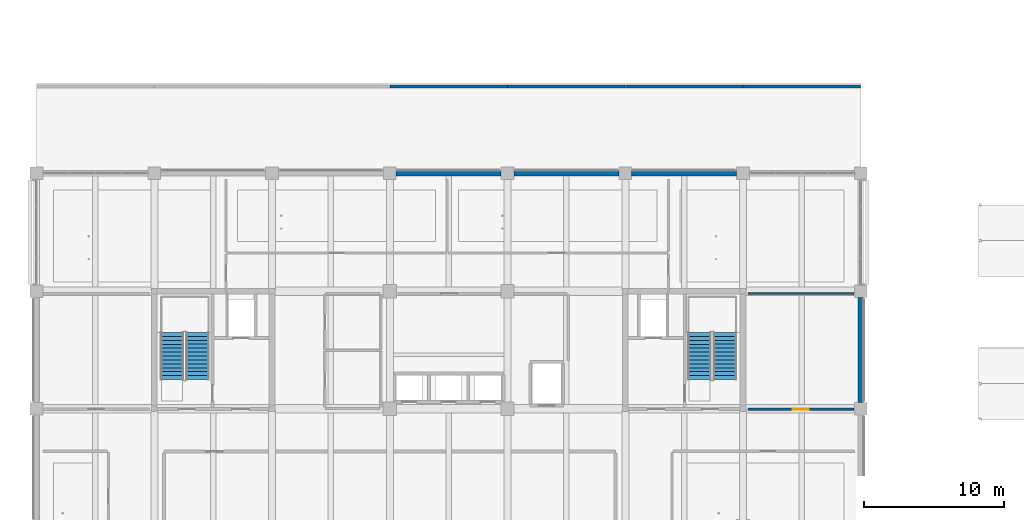
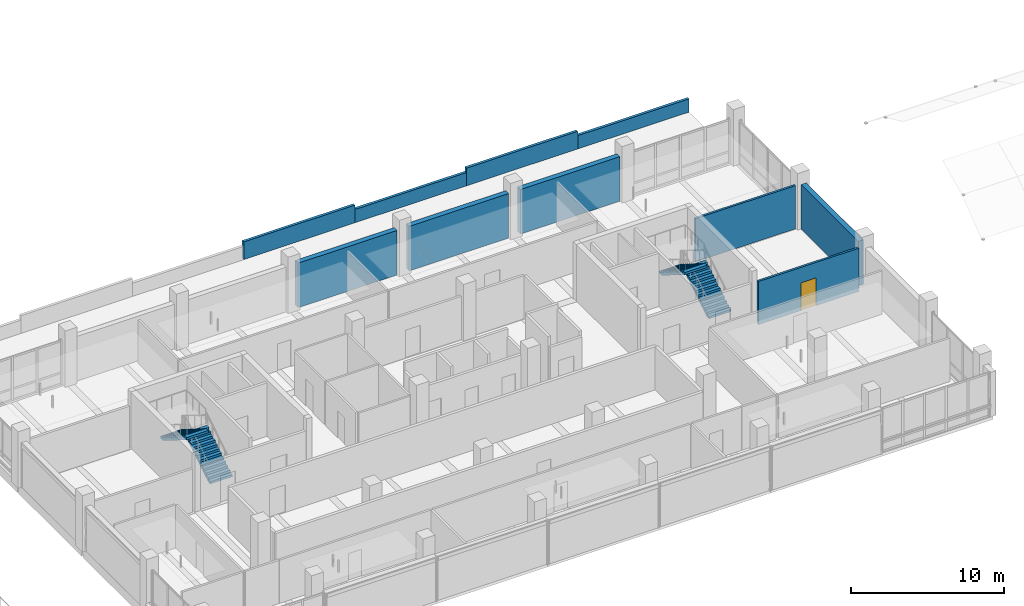
# One storey, part 23 of 59: 10 walls, 4 stair flights, 1 door, 1 opening, 2 elements without a shape of their own.
"""IFC4 building model written with IfcOpenShell, lengths in metres."""

import ifcopenshell
import ifcopenshell.guid

model = None  # the IFC model being written
_history = None  # IfcOwnerHistory: only IFC2X3 demands one
_inside = {}  # id of a spatial element -> (the spatial element, [elements in it])
_under = {}  # id of a project, library or spatial element -> (it, [spatial elements below it])
_declared = {}  # id of a project -> (the project, [libraries it declares])
_typed = {}  # id of a type object -> (the type object, [elements of that type])
_made_of = {}  # id of a material, layer set ... -> (it, [elements and type objects made of it])


def new_model(schema):
    """Start an empty IFC model of exactly this schema.

    Asked for "IFC4X3", IfcOpenShell would pick the latest addendum, in which some entities
    have other attributes; the version numbers below select the first issue.
    IFC2X3 requires an IfcOwnerHistory on every rooted entity: one is made here for all.
    """
    global model, _history
    if schema == "IFC4X3":
        model = ifcopenshell.file(schema_version=(4, 3, 0, 0))
    else:
        model = ifcopenshell.file(schema=schema)
    _inside.clear()
    _under.clear()
    _declared.clear()
    _typed.clear()
    _made_of.clear()
    _history = None
    if model.schema == "IFC2X3":
        org = make("IfcOrganization", Name="unknown")
        user = make(
            "IfcPersonAndOrganization",
            ThePerson=make("IfcPerson", FamilyName="unknown"),
            TheOrganization=org,
        )
        app = make(
            "IfcApplication",
            ApplicationDeveloper=org,
            Version="unknown",
            ApplicationFullName="unknown",
            ApplicationIdentifier="unknown",
        )
        _history = make(
            "IfcOwnerHistory",
            OwningUser=user,
            OwningApplication=app,
            ChangeAction="ADDED",
            CreationDate=0,
        )
    return model


def make(cls, **values):
    """One entity of the class cls with the attributes given. An attribute that is None is left unset."""
    return model.create_entity(
        cls, **{name: value for name, value in values.items() if value is not None}
    )


def rooted(cls, **values):
    """An entity with a GlobalId (a new one), such as an element, a storey or a relation."""
    return make(cls, GlobalId=ifcopenshell.guid.new(), OwnerHistory=_history, **values)


def si_unit(unit_type, name, prefix=None):
    """IfcSIUnit, for example si_unit("LENGTHUNIT", "METRE", prefix="MILLI")."""
    return make("IfcSIUnit", UnitType=unit_type, Prefix=prefix, Name=name)


def assignment(units):
    """IfcUnitAssignment: the units of a project."""
    return None if units is None else make("IfcUnitAssignment", Units=units)


def point(xyz):
    """IfcCartesianPoint."""
    return None if xyz is None else make("IfcCartesianPoint", Coordinates=xyz)


def direction(xyz):
    """IfcDirection."""
    return None if xyz is None else make("IfcDirection", DirectionRatios=xyz)


def frame(location, z_axis=None, x_axis=None):
    """IfcAxis2Placement3D, a coordinate frame: its origin and axes. An axis left out is left unset."""
    return make(
        "IfcAxis2Placement3D",
        Location=point(location),
        Axis=direction(z_axis),
        RefDirection=direction(x_axis),
    )


def frame_2d(location, x_axis=None):
    """IfcAxis2Placement2D, a coordinate frame in the plane: its origin and x axis."""
    return make(
        "IfcAxis2Placement2D", Location=point(location), RefDirection=direction(x_axis)
    )


def origin():
    """The frame at (0, 0, 0) with its axes left unset."""
    return frame((0.0, 0.0, 0.0))


def place(relative_to, where):
    """IfcLocalPlacement: puts the frame where relative to a parent placement (None: the world)."""
    return make(
        "IfcLocalPlacement", PlacementRelTo=relative_to, RelativePlacement=where
    )


def context(
    kind, dimensions, precision=None, world=None, true_north=None, identifier=None
):
    """IfcGeometricRepresentationContext, for example the 3D "Model" context."""
    return make(
        "IfcGeometricRepresentationContext",
        ContextIdentifier=identifier,
        ContextType=kind,
        CoordinateSpaceDimension=dimensions,
        Precision=precision,
        WorldCoordinateSystem=world,
        TrueNorth=true_north,
    )


def subcontext(parent, identifier, kind, view, scale=None):
    """IfcGeometricRepresentationSubContext, for example "Body" below "Model"."""
    return make(
        "IfcGeometricRepresentationSubContext",
        ContextIdentifier=identifier,
        ContextType=kind,
        ParentContext=parent,
        TargetScale=scale,
        TargetView=view,
    )


def project(units=None, contexts=None):
    """IfcProject with its units and contexts."""
    return rooted(
        "IfcProject",
        Name="project",
        RepresentationContexts=contexts,
        UnitsInContext=assignment(units),
    )


def spatial(cls, under=None, at=None, **own):
    """A site, building, storey or space (cls), placed at a placement, below another one or the project."""
    s = rooted(cls, ObjectPlacement=at, **own)
    if under is not None:
        _under.setdefault(under.id(), (under, []))[1].append(s)
    return s


def polyline(points):
    """IfcPolyline through the points."""
    return make("IfcPolyline", Points=[point(p) for p in points])


def profile(cls, at=None, kind="AREA", **sizes):
    """A parametric profile (cls). Its sizes go by their IFC names, for example OverallWidth=200.0."""
    return make(cls, ProfileType=kind, Position=at, **sizes)


def rectangle(**sizes):
    """IfcRectangleProfileDef."""
    return profile("IfcRectangleProfileDef", **sizes)


def outline(outer, holes=None, kind="AREA"):
    """IfcArbitraryClosedProfileDef: a profile drawn as a closed curve; with holes, ...WithVoids."""
    if holes is None:
        return make("IfcArbitraryClosedProfileDef", ProfileType=kind, OuterCurve=outer)
    return make(
        "IfcArbitraryProfileDefWithVoids",
        ProfileType=kind,
        OuterCurve=outer,
        InnerCurves=holes,
    )


def extrude(swept, where, along, depth):
    """IfcExtrudedAreaSolid: the profile swept, set in the frame where, extruded along a direction by depth."""
    return make(
        "IfcExtrudedAreaSolid",
        SweptArea=swept,
        Position=where,
        ExtrudedDirection=direction(along),
        Depth=depth,
    )


def shape(context_of_items, identifier, shape_type, items):
    """IfcShapeRepresentation: the items that make up one representation, for example the "Body"."""
    return make(
        "IfcShapeRepresentation",
        ContextOfItems=context_of_items,
        RepresentationIdentifier=identifier,
        RepresentationType=shape_type,
        Items=items,
    )


def material(Name=None, Category=None):
    """IfcMaterial."""
    return make("IfcMaterial", Name=Name, Category=Category)


def layer(
    of_material, thickness, ventilated=None, Name=None, Category=None, Priority=None
):
    """IfcMaterialLayer: one layer of a wall or slab, of a material (None: an air gap)."""
    return make(
        "IfcMaterialLayer",
        Material=of_material,
        LayerThickness=thickness,
        IsVentilated=ventilated,
        Name=Name,
        Category=Category,
        Priority=Priority,
    )


def layer_set(layers, Name=None):
    """IfcMaterialLayerSet."""
    return make("IfcMaterialLayerSet", MaterialLayers=layers, LayerSetName=Name)


def made_of(thing, what):
    """Note that an element or type object is made of a material, layer set ...; save() writes the relation."""
    if what is not None:
        _made_of.setdefault(what.id(), (what, []))[1].append(thing)
    return thing


def type_object(cls, material=None, **own):
    """A type object (cls), such as IfcWallType, which elements share."""
    return made_of(rooted(cls, **own), material)


def element(
    cls,
    number,
    at=None,
    inside=None,
    cuts=None,
    type_object=None,
    material=None,
    context=None,
    identifier="Body",
    shape_type=None,
    held_by="IfcProductDefinitionShape",
    body=None,
    shapes=None,
    **own,
):
    """One element of the class cls, such as IfcWall. Its Tag is "e" and its number.

    at: its placement. inside: the storey or other place that contains it. cuts: it is an
    opening in that element (IfcRelVoidsElement). A single representation is given by context,
    identifier, shape_type and body (its items); several are given by shapes. held_by: the class
    of the entity that holds the representations. save() writes the other relations.
    """
    e = rooted(cls, Tag="e%d" % number, ObjectPlacement=at, **own)
    if body is not None:
        shapes = [shape(context, identifier, shape_type, body)]
    if shapes is not None:
        e.Representation = make(held_by, Representations=shapes)
    if inside is not None:
        _inside.setdefault(inside.id(), (inside, []))[1].append(e)
    if cuts is not None:
        rooted(
            "IfcRelVoidsElement", RelatingBuildingElement=cuts, RelatedOpeningElement=e
        )
    if type_object is not None:
        _typed.setdefault(type_object.id(), (type_object, []))[1].append(e)
    return made_of(e, material)


def fill(opening, filler):
    """IfcRelFillsElement: the door or window that sits in an opening."""
    return rooted(
        "IfcRelFillsElement",
        RelatingOpeningElement=opening,
        RelatedBuildingElement=filler,
    )


def aggregate(whole, parts):
    """IfcRelAggregates: a whole, such as a stair, and the parts it consists of."""
    return rooted("IfcRelAggregates", RelatingObject=whole, RelatedObjects=parts)


def save(model, path):
    """Write the relations noted so far, then the file.

    IfcRelAggregates (storeys below a building ...), IfcRelContainedInSpatialStructure (elements
    in a storey), IfcRelDefinesByType, IfcRelAssociatesMaterial and IfcRelDeclares: one each for
    every whole, place, type object, material and project.
    """
    for whole, parts in _under.values():
        aggregate(whole, parts)
    for where, things in _inside.values():
        rooted(
            "IfcRelContainedInSpatialStructure",
            RelatedElements=things,
            RelatingStructure=where,
        )
    for kind, things in _typed.values():
        rooted("IfcRelDefinesByType", RelatedObjects=things, RelatingType=kind)
    for what, things in _made_of.values():
        rooted("IfcRelAssociatesMaterial", RelatedObjects=things, RelatingMaterial=what)
    for by, libraries in _declared.values():
        rooted("IfcRelDeclares", RelatingContext=by, RelatedDefinitions=libraries)
    model.write(path)


model = new_model("IFC4")

# Units and contexts
model_context = context("Model", 3, precision=1e-05, world=origin(), true_north=direction((0.0, 1.0)))
body_context = subcontext(model_context, "Body", "Model", "MODEL_VIEW")
ifc_project = project(units=[si_unit("LENGTHUNIT", "METRE"), si_unit("AREAUNIT", "SQUARE_METRE"), si_unit("VOLUMEUNIT", "CUBIC_METRE"), si_unit("PLANEANGLEUNIT", "RADIAN"), si_unit("MASSUNIT", "GRAM", prefix="KILO")], contexts=[model_context])

# Site, building, storey
site_placement = place(None, origin())
site = spatial("IfcSite", under=ifc_project, at=site_placement, CompositionType="ELEMENT")
building_placement = place(site_placement, origin())
building = spatial("IfcBuilding", under=site, at=building_placement, Name="Telukmera Botanical Conservatory", CompositionType="ELEMENT")
storey_placement = place(building_placement, frame((0.0, 0.0, 15.0)))
storey = spatial("IfcBuildingStorey", under=building, at=storey_placement, Name="L03", CompositionType="ELEMENT", Elevation=15.0)

# Walls
ifc_material_1 = material(Name="Terracotta-faced precast concrete C40/50", Category="masonry")
ifc_layer_1 = layer(ifc_material_1, 0.3798828125)
ifc_layer_set_1 = layer_set([ifc_layer_1], Name="Terracotta-faced precast concrete C40/50")
wall_type_1 = type_object("IfcWallType", Name="Exterior Herbarium Vault Insulated Precast Wall 380", PredefinedType="SOLIDWALL", material=ifc_layer_set_1)
for number, where, z_axis, x_axis, name in (
    (1, (76.052001953125, 42.800048828125, 0.0), (0.0, 0.0, 1.0), (1.0, 0.0, 0.0), "Exterior Precast Wall EW04 V4:L03:N4"),
    (2, (84.451904296875, 42.800048828125, 0.0), (0.0, 0.0, 1.0), (1.0, 0.0, 0.0), "Exterior Precast Wall EW04 V4:L03:N5"),
):
    element("IfcWall", number, at=place(storey_placement, frame(where, z_axis=z_axis, x_axis=x_axis)), inside=storey, type_object=wall_type_1, Name=name, PredefinedType="SOLIDWALL", context=body_context, shape_type="SweptSolid", body=[
        extrude(rectangle(XDim=7.49609375, YDim=0.3798828125, at=frame_2d((3.748046875, 0.0))), origin(), (0.0, 0.0, 1.0), 3.550048828125),
    ])
wall_1_placement = place(storey_placement, frame((92.85205078125, 42.800048828125, 0.0), z_axis=(0.0, 0.0, 1.0), x_axis=(1.0, 0.0, 0.0)))
element("IfcWall", 3, at=wall_1_placement, inside=storey, type_object=wall_type_1, Name="Exterior Precast Wall EW04 V4:L03:N6", PredefinedType="SOLIDWALL", context=body_context, shape_type="SweptSolid", body=[
    extrude(rectangle(XDim=7.495849609375, YDim=0.3798828125, at=frame_2d((3.748046875, 0.0))), origin(), (0.0, 0.0, 1.0), 3.550048828125),
])
wall_2_placement = place(storey_placement, frame((109.199951171875, 26.451904296875, 0.0), z_axis=(0.0, 0.0, 1.0), x_axis=(0.0, 1.0, 0.0)))
element("IfcWall", 4, at=wall_2_placement, inside=storey, type_object=wall_type_1, Name="Exterior Precast Wall EW04 V4:L03:E3", PredefinedType="SOLIDWALL", context=body_context, shape_type="SweptSolid", body=[
    extrude(rectangle(XDim=7.49609375, YDim=0.3798828125, at=frame_2d((3.748046875, 0.0))), origin(), (0.0, 0.0, 1.0), 3.550048828125),
])
ifc_material_2 = material(Name="Precast concrete C40/50", Category="concrete")
ifc_layer_2 = layer(ifc_material_2, 0.199951171875)
ifc_layer_set_2 = layer_set([ifc_layer_2], Name="Precast concrete C40/50")
wall_type_2 = type_object("IfcWallType", Name="Postmodern Stepped Tower Precast Parapet Wall 200", PredefinedType="PARAPET", material=ifc_layer_set_2)
wall_3_placement = place(storey_placement, frame((75.60205078125, 49.0, 0.18994140625), z_axis=(0.0, 0.0, 1.0), x_axis=(1.0, 0.0, 0.0)))
element("IfcWall", 5, at=wall_3_placement, inside=storey, type_object=wall_type_2, Name="Stepped Roof Parapet PW01 V4:L03:N 4", PredefinedType="PARAPET", context=body_context, shape_type="SweptSolid", body=[
    extrude(rectangle(XDim=8.39599609375, YDim=0.199951171875, at=frame_2d((4.197998046875, 0.0))), origin(), (0.0, 0.0, 1.0), 1.41015625),
])
wall_4_placement = place(storey_placement, frame((84.001953125, 49.0, 0.18994140625), z_axis=(0.0, 0.0, 1.0), x_axis=(1.0, 0.0, 0.0)))
element("IfcWall", 6, at=wall_4_placement, inside=storey, type_object=wall_type_2, Name="Stepped Roof Parapet PW01 V4:L03:N 5", PredefinedType="PARAPET", context=body_context, shape_type="SweptSolid", body=[
    extrude(rectangle(XDim=8.39599609375, YDim=0.199951171875, at=frame_2d((4.197998046875, 0.0))), origin(), (0.0, 0.0, 1.0), 1.06005859375),
])
wall_5_placement = place(storey_placement, frame((92.402099609375, 49.0, 0.18994140625), z_axis=(0.0, 0.0, 1.0), x_axis=(1.0, 0.0, 0.0)))
element("IfcWall", 7, at=wall_5_placement, inside=storey, type_object=wall_type_2, Name="Stepped Roof Parapet PW01 V4:L03:N 6", PredefinedType="PARAPET", context=body_context, shape_type="SweptSolid", body=[
    extrude(rectangle(XDim=8.39599609375, YDim=0.199951171875, at=frame_2d((4.197998046875, 0.0))), origin(), (0.0, 0.0, 1.0), 1.41015625),
])
wall_6_placement = place(storey_placement, frame((100.802001953125, 49.0, 0.18994140625), z_axis=(0.0, 0.0, 1.0), x_axis=(1.0, 0.0, 0.0)))
element("IfcWall", 8, at=wall_6_placement, inside=storey, type_object=wall_type_2, Name="Stepped Roof Parapet PW01 V4:L03:N 7", PredefinedType="PARAPET", context=body_context, shape_type="SweptSolid", body=[
    extrude(rectangle(XDim=8.39599609375, YDim=0.199951171875, at=frame_2d((4.197998046875, 0.0))), origin(), (0.0, 0.0, 1.0), 1.06005859375),
])

# Wall, opening, door
ifc_material_3 = material(Name="Gypsum acoustic stud partition")
ifc_layer_3 = layer(ifc_material_3, 0.159912109375)
ifc_layer_set_3 = layer_set([ifc_layer_3], Name="Gypsum acoustic stud partition")
wall_type_3 = type_object("IfcWallType", Name="WT-LAB-160", PredefinedType="PARTITIONING", material=ifc_layer_set_3)
wall_7_placement = place(storey_placement, frame((101.14990234375, 25.97509765625, 0.0), z_axis=(0.0, 0.0, 1.0), x_axis=(1.0, 0.0, 0.0)))
wall_7 = element("IfcWall", 9, at=wall_7_placement, inside=storey, type_object=wall_type_3, Name="L03 Interior Partition 18", PredefinedType="PARTITIONING", context=body_context, shape_type="SweptSolid", body=[
    extrude(rectangle(XDim=7.570068359375, YDim=0.159912109375, at=frame_2d((3.78515625, 0.0))), origin(), (0.0, 0.0, 1.0), 3.449951171875),
])
opening_placement = place(wall_7_placement, frame((3.215087890625, 0.0, 0.0)))
opening = element("IfcOpeningElement", 10, at=opening_placement, cuts=wall_7, Name="Opening ID10", PredefinedType="OPENING", context=body_context, shape_type="SweptSolid", body=[
    extrude(rectangle(XDim=1.139892578125, YDim=2.219970703125, at=frame_2d((0.56982421875, 1.10986328125))), frame((0.0, 0.08984375, 0.0), z_axis=(0.0, -1.0, 0.0), x_axis=(1.0, 0.0, 0.0)), (0.0, 0.0, 1.0), 0.179931640625),
])
ifc_material_4 = material(Name="Sealed steel herbarium door", Category="steel")
door_type = type_object("IfcDoorType", Name="DT-HERB-114", OperationType="NOTDEFINED", PredefinedType="DOOR", material=ifc_material_4)
door_placement = place(opening_placement, origin())
door = element("IfcDoor", 11, at=door_placement, inside=storey, type_object=door_type, Name="L03 Herbarium Blast Freezer Room Door", OperationType="SINGLE_SWING_LEFT", OverallHeight=2.219970703125, OverallWidth=1.139892578125, PredefinedType="DOOR", context=body_context, shape_type="SweptSolid", body=[
    extrude(rectangle(XDim=1.139892578125, YDim=2.219970703125, at=frame_2d((0.56982421875, 1.10986328125))), frame((0.0, 0.02490234375, 0.0), z_axis=(0.0, -1.0, 0.0), x_axis=(1.0, 0.0, 0.0)), (0.0, 0.0, 1.0), 0.050048828125),
])
fill(opening, door)

# Wall
wall_8_placement = place(storey_placement, frame((101.14990234375, 34.22509765625, 0.0), z_axis=(0.0, 0.0, 1.0), x_axis=(1.0, 0.0, 0.0)))
element("IfcWall", 12, at=wall_8_placement, inside=storey, type_object=wall_type_3, Name="L03 Interior Partition 19", PredefinedType="PARTITIONING", context=body_context, shape_type="SweptSolid", body=[
    extrude(rectangle(XDim=7.570068359375, YDim=0.159912109375, at=frame_2d((3.78515625, 0.0))), origin(), (0.0, 0.0, 1.0), 3.449951171875),
])

# Stair, stair flights
ifc_material_5 = material(Name="Concrete C40/50", Category="concrete")
stair_type = type_object("IfcStairType", Name="ST-ESC-4500", PredefinedType="HALF_TURN_STAIR", material=ifc_material_5)
stair_1_placement = place(storey_placement, origin())
stair_1 = element("IfcStair", 13, at=stair_1_placement, inside=storey, type_object=stair_type, Name="L03 Protected Escape Stair ST1", PredefinedType="HALF_TURN_STAIR")
stair_flight_type = type_object("IfcStairFlightType", Name="SF-ESC-4500", PredefinedType="STRAIGHT", material=ifc_material_5)
stair_flight_1_placement = place(storey_placement, frame((61.89990234375, 28.090087890625, 0.0), z_axis=(0.0, 0.0, 1.0), x_axis=(0.0, 1.0, 0.0)))
stair_flight_1 = element("IfcStairFlight", 14, at=stair_flight_1_placement, type_object=stair_flight_type, Name="ST1 flight 1", NumberOfRisers=13, NumberOfTreads=12, PredefinedType="STRAIGHT", RiserHeight=0.173076923, TreadLength=0.28, context=body_context, shape_type="SweptSolid", body=[
    extrude(outline(polyline([(0.0, 0.0), (0.0, 0.173095703125), (0.280029296875, 0.173095703125), (0.280029296875, 0.34619140625), (0.56005859375, 0.34619140625), (0.56005859375, 0.519287109375), (0.840087890625, 0.519287109375), (0.840087890625, 0.6923828125), (1.1201171875, 0.6923828125), (1.1201171875, 0.865478515625), (1.39990234375, 0.865478515625), (1.39990234375, 1.03857421875), (1.679931640625, 1.03857421875), (1.679931640625, 1.21142578125), (1.9599609375, 1.21142578125), (1.9599609375, 1.384521484375), (2.239990234375, 1.384521484375), (2.239990234375, 1.5576171875), (2.52001953125, 1.5576171875), (2.52001953125, 1.730712890625), (2.800048828125, 1.730712890625), (2.800048828125, 1.90380859375), (3.080078125, 1.90380859375), (3.080078125, 2.076904296875), (3.360107421875, 2.076904296875), (3.360107421875, 2.25), (3.360107421875, 1.888916015625), (0.30419921875, 0.0), (0.0, 0.0)])), frame((0.0, 0.830078125, 0.0), z_axis=(0.0, -1.0, 0.0), x_axis=(1.0, 0.0, 0.0)), (0.0, 0.0, 1.0), 1.659912109375),
])
stair_flight_2_placement = place(storey_placement, frame((60.080078125, 31.449951171875, 2.25), z_axis=(0.0, 0.0, 1.0), x_axis=(0.0, -1.0, 0.0)))
stair_flight_2 = element("IfcStairFlight", 15, at=stair_flight_2_placement, type_object=stair_flight_type, Name="ST1 flight 2", NumberOfRisers=13, NumberOfTreads=12, PredefinedType="STRAIGHT", RiserHeight=0.173076923, TreadLength=0.28, context=body_context, shape_type="SweptSolid", body=[
    extrude(outline(polyline([(0.0, 0.0), (0.0, 0.173095703125), (0.280029296875, 0.173095703125), (0.280029296875, 0.34619140625), (0.56005859375, 0.34619140625), (0.56005859375, 0.519287109375), (0.840087890625, 0.519287109375), (0.840087890625, 0.6923828125), (1.1201171875, 0.6923828125), (1.1201171875, 0.865478515625), (1.39990234375, 0.865478515625), (1.39990234375, 1.03857421875), (1.679931640625, 1.03857421875), (1.679931640625, 1.21142578125), (1.9599609375, 1.21142578125), (1.9599609375, 1.384521484375), (2.239990234375, 1.384521484375), (2.239990234375, 1.5576171875), (2.52001953125, 1.5576171875), (2.52001953125, 1.730712890625), (2.800048828125, 1.730712890625), (2.800048828125, 1.90380859375), (3.080078125, 1.90380859375), (3.080078125, 2.076904296875), (3.360107421875, 2.076904296875), (3.360107421875, 2.25), (3.360107421875, 1.888916015625), (0.30419921875, 0.0), (0.0, 0.0)])), frame((0.0, 0.830078125, 0.0), z_axis=(0.0, -1.0, 0.0), x_axis=(1.0, 0.0, 0.0)), (0.0, 0.0, 1.0), 1.659912109375),
])
aggregate(stair_1, [stair_flight_1, stair_flight_2])

stair_2_placement = place(storey_placement, origin())
stair_2 = element("IfcStair", 16, at=stair_2_placement, inside=storey, type_object=stair_type, Name="L03 Protected Escape Stair ST2", PredefinedType="HALF_TURN_STAIR")
stair_flight_3_placement = place(storey_placement, frame((99.52001953125, 28.090087890625, 0.0), z_axis=(0.0, 0.0, 1.0), x_axis=(0.0, 1.0, 0.0)))
stair_flight_3 = element("IfcStairFlight", 17, at=stair_flight_3_placement, type_object=stair_flight_type, Name="ST2 flight 1", NumberOfRisers=13, NumberOfTreads=12, PredefinedType="STRAIGHT", RiserHeight=0.173076923, TreadLength=0.28, context=body_context, shape_type="SweptSolid", body=[
    extrude(outline(polyline([(0.0, 0.0), (0.0, 0.173095703125), (0.280029296875, 0.173095703125), (0.280029296875, 0.34619140625), (0.56005859375, 0.34619140625), (0.56005859375, 0.519287109375), (0.840087890625, 0.519287109375), (0.840087890625, 0.6923828125), (1.1201171875, 0.6923828125), (1.1201171875, 0.865478515625), (1.39990234375, 0.865478515625), (1.39990234375, 1.03857421875), (1.679931640625, 1.03857421875), (1.679931640625, 1.21142578125), (1.9599609375, 1.21142578125), (1.9599609375, 1.384521484375), (2.239990234375, 1.384521484375), (2.239990234375, 1.5576171875), (2.52001953125, 1.5576171875), (2.52001953125, 1.730712890625), (2.800048828125, 1.730712890625), (2.800048828125, 1.90380859375), (3.080078125, 1.90380859375), (3.080078125, 2.076904296875), (3.360107421875, 2.076904296875), (3.360107421875, 2.25), (3.360107421875, 1.888916015625), (0.30419921875, 0.0), (0.0, 0.0)])), frame((0.0, 0.830078125, 0.0), z_axis=(0.0, -1.0, 0.0), x_axis=(1.0, 0.0, 0.0)), (0.0, 0.0, 1.0), 1.659912109375),
])
stair_flight_4_placement = place(storey_placement, frame((97.699951171875, 31.449951171875, 2.25), z_axis=(0.0, 0.0, 1.0), x_axis=(0.0, -1.0, 0.0)))
stair_flight_4 = element("IfcStairFlight", 18, at=stair_flight_4_placement, type_object=stair_flight_type, Name="ST2 flight 2", NumberOfRisers=13, NumberOfTreads=12, PredefinedType="STRAIGHT", RiserHeight=0.173076923, TreadLength=0.28, context=body_context, shape_type="SweptSolid", body=[
    extrude(outline(polyline([(0.0, 0.0), (0.0, 0.173095703125), (0.280029296875, 0.173095703125), (0.280029296875, 0.34619140625), (0.56005859375, 0.34619140625), (0.56005859375, 0.519287109375), (0.840087890625, 0.519287109375), (0.840087890625, 0.6923828125), (1.1201171875, 0.6923828125), (1.1201171875, 0.865478515625), (1.39990234375, 0.865478515625), (1.39990234375, 1.03857421875), (1.679931640625, 1.03857421875), (1.679931640625, 1.21142578125), (1.9599609375, 1.21142578125), (1.9599609375, 1.384521484375), (2.239990234375, 1.384521484375), (2.239990234375, 1.5576171875), (2.52001953125, 1.5576171875), (2.52001953125, 1.730712890625), (2.800048828125, 1.730712890625), (2.800048828125, 1.90380859375), (3.080078125, 1.90380859375), (3.080078125, 2.076904296875), (3.360107421875, 2.076904296875), (3.360107421875, 2.25), (3.360107421875, 1.888916015625), (0.30419921875, 0.0), (0.0, 0.0)])), frame((0.0, 0.830078125, 0.0), z_axis=(0.0, -1.0, 0.0), x_axis=(1.0, 0.0, 0.0)), (0.0, 0.0, 1.0), 1.659912109375),
])
aggregate(stair_2, [stair_flight_3, stair_flight_4])

save(model, "model.ifc")
